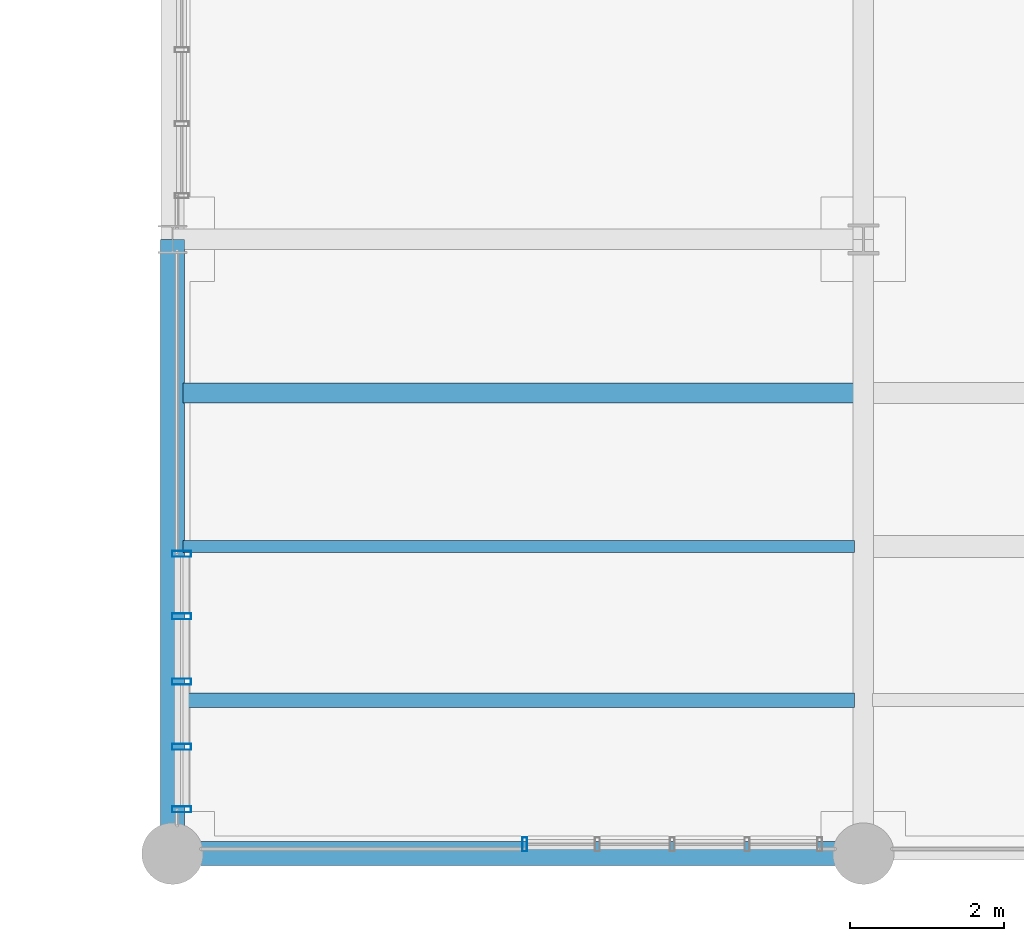
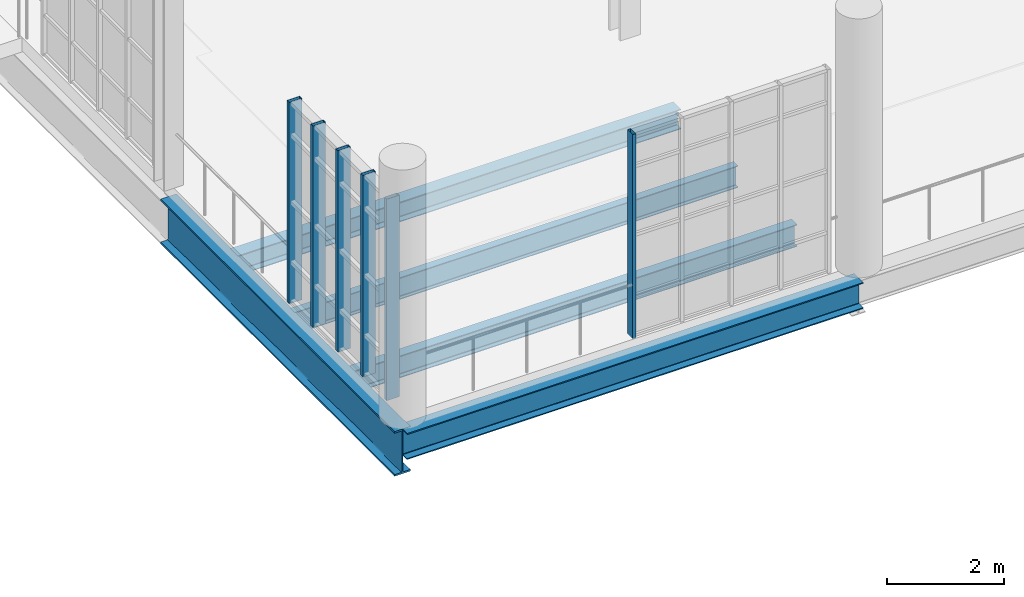
# One storey, part 30 of 142: 6 members, 5 beams, 2 elements without a shape of their own.
"""IFC4 building model written with IfcOpenShell, lengths in metres."""

from ifc_helpers import new_model, si_unit, direction, frame, origin, origin_2d, place, context, subcontext, project, spatial, hollow_rectangle, i_section, extrude, material, layer, layer_set, material_profile, profile_set, type_object, element, aggregate, save


model = new_model("IFC4")

# Units and contexts
model_context = context("Model", 3, precision=1e-05, world=origin(), true_north=direction((0.0, 1.0)))
body_context = subcontext(model_context, "Body", "Model", "MODEL_VIEW")
ifc_project = project(units=[si_unit("LENGTHUNIT", "METRE"), si_unit("AREAUNIT", "SQUARE_METRE"), si_unit("VOLUMEUNIT", "CUBIC_METRE"), si_unit("PLANEANGLEUNIT", "RADIAN"), si_unit("MASSUNIT", "GRAM", prefix="KILO"), si_unit("THERMODYNAMICTEMPERATUREUNIT", "KELVIN"), si_unit("POWERUNIT", "WATT")], contexts=[model_context])

# Site, building, storey
site_placement = place(None, origin())
site = spatial("IfcSite", under=ifc_project, at=site_placement, CompositionType="ELEMENT")
building_placement = place(site_placement, origin())
building = spatial("IfcBuilding", under=site, at=building_placement, Name="Zelmaris Science Centre", CompositionType="ELEMENT")
storey_placement = place(building_placement, frame((0.0, 0.0, 5.39990234375)))
storey = spatial("IfcBuildingStorey", under=building, at=storey_placement, Name="L01", CompositionType="ELEMENT", Elevation=5.39990234375)

# Curtain wall, member
ifc_material_1 = material(Name="Anodised architectural aluminium 6063-T6", Category="aluminium")
ifc_layer_1 = layer(ifc_material_1, 0.2099609375, Name="Anodised architectural aluminium 6063-T6")
ifc_layer_set_1 = layer_set([ifc_layer_1], Name="Anodised architectural aluminium 6063-T6")
curtain_wall_type_1 = type_object("IfcCurtainWallType", Name="Curtain Wall CW-03", PredefinedType="USERDEFINED", material=ifc_layer_set_1)
curtain_wall_1_placement = place(storey_placement, origin())
curtain_wall_1 = element("IfcCurtainWall", 1, at=curtain_wall_1_placement, inside=storey, type_object=curtain_wall_type_1, Name="L01 Unitised curtain wall 167", ObjectType="GLAZED CURTAIN WALL", PredefinedType="USERDEFINED")
ifc_material_profile_1 = material_profile(ifc_material_1, hollow_rectangle(XDim=0.06494140625, YDim=0.179931640625, WallThickness=0.00390625, at=origin_2d()), Name="ALU-MUL-65X180")
ifc_profile_set_1 = profile_set([ifc_material_profile_1], Name="Anodised architectural aluminium 6063-T6")
member_type_1 = type_object("IfcMemberType", Name="ALU-MUL-65X180", PredefinedType="MULLION", material=ifc_profile_set_1)
member_1_placement = place(storey_placement, frame((112.58837890625, 8.1201171875, -0.014892578125), z_axis=(0.0, 0.0, 1.0), x_axis=(-1.0, 0.0, 0.0)))
member_1 = element("IfcMember", 2, at=member_1_placement, type_object=member_type_1, Name="CW-03 mullion 5", PredefinedType="MULLION", context=body_context, shape_type="SweptSolid", body=[
    extrude(hollow_rectangle(XDim=0.06494140625, YDim=0.179931640625, WallThickness=0.00390625, at=origin_2d()), origin(), (0.0, 0.0, 1.0), 4.260986328125),
])
aggregate(curtain_wall_1, [member_1])

# Curtain wall, members
ifc_layer_2 = layer(ifc_material_1, 0.18994140625, Name="Anodised architectural aluminium 6063-T6")
ifc_layer_set_2 = layer_set([ifc_layer_2], Name="Anodised architectural aluminium 6063-T6")
curtain_wall_type_2 = type_object("IfcCurtainWallType", Name="Curtain Wall CW-01", PredefinedType="USERDEFINED", material=ifc_layer_set_2)
curtain_wall_2_placement = place(storey_placement, origin())
curtain_wall_2 = element("IfcCurtainWall", 3, at=curtain_wall_2_placement, inside=storey, type_object=curtain_wall_type_2, Name="L01 Unitised curtain wall 169", ObjectType="GLAZED CURTAIN WALL", PredefinedType="USERDEFINED")
ifc_material_profile_2 = material_profile(ifc_material_1, hollow_rectangle(XDim=0.080078125, YDim=0.25, WallThickness=0.0048828125, at=origin_2d()), Name="ALU-MUL-80X250")
ifc_profile_set_2 = profile_set([ifc_material_profile_2], Name="Anodised architectural aluminium 6063-T6")
member_type_2 = type_object("IfcMemberType", Name="ALU-MUL-80X250", PredefinedType="MULLION", material=ifc_profile_set_2)
member_2_placement = place(storey_placement, frame((108.1201171875, 8.576171875, -0.014892578125), z_axis=(0.0, 0.0, 1.0), x_axis=(-5.235988e-06, 0.999999999986, 0.0)))
member_2 = element("IfcMember", 4, at=member_2_placement, type_object=member_type_2, Name="CW-01 mullion 1", PredefinedType="MULLION", context=body_context, shape_type="SweptSolid", body=[
    extrude(hollow_rectangle(XDim=0.080078125, YDim=0.25, WallThickness=0.0048828125, at=origin_2d()), origin(), (0.0, 0.0, 1.0), 4.200927734375),
])
member_3_placement = place(storey_placement, frame((108.1201171875, 9.39013671875, -0.014892578125), z_axis=(0.0, 0.0, 1.0), x_axis=(-5.235988e-06, 0.999999999986, 0.0)))
member_3 = element("IfcMember", 5, at=member_3_placement, type_object=member_type_2, Name="CW-01 mullion 2", PredefinedType="MULLION", context=body_context, shape_type="SweptSolid", body=[
    extrude(hollow_rectangle(XDim=0.080078125, YDim=0.25, WallThickness=0.0048828125, at=origin_2d()), origin(), (0.0, 0.0, 1.0), 4.200927734375),
])
member_4_placement = place(storey_placement, frame((108.1201171875, 10.239990234375, -0.014892578125), z_axis=(0.0, 0.0, 1.0), x_axis=(-5.235988e-06, 0.999999999986, 0.0)))
member_4 = element("IfcMember", 6, at=member_4_placement, type_object=member_type_2, Name="CW-01 mullion 3", PredefinedType="MULLION", context=body_context, shape_type="SweptSolid", body=[
    extrude(hollow_rectangle(XDim=0.080078125, YDim=0.25, WallThickness=0.0048828125, at=origin_2d()), origin(), (0.0, 0.0, 1.0), 4.200927734375),
])
member_5_placement = place(storey_placement, frame((108.1201171875, 11.090087890625, -0.014892578125), z_axis=(0.0, 0.0, 1.0), x_axis=(-5.235988e-06, 0.999999999986, 0.0)))
member_5 = element("IfcMember", 7, at=member_5_placement, type_object=member_type_2, Name="CW-01 mullion 4", PredefinedType="MULLION", context=body_context, shape_type="SweptSolid", body=[
    extrude(hollow_rectangle(XDim=0.080078125, YDim=0.25, WallThickness=0.0048828125, at=origin_2d()), origin(), (0.0, 0.0, 1.0), 4.200927734375),
])
member_6_placement = place(storey_placement, frame((108.1201171875, 11.904052734375, -0.014892578125), z_axis=(0.0, 0.0, 1.0), x_axis=(-5.235988e-06, 0.999999999986, 0.0)))
member_6 = element("IfcMember", 8, at=member_6_placement, type_object=member_type_2, Name="CW-01 mullion 5", PredefinedType="MULLION", context=body_context, shape_type="SweptSolid", body=[
    extrude(hollow_rectangle(XDim=0.080078125, YDim=0.25, WallThickness=0.0048828125, at=origin_2d()), origin(), (0.0, 0.0, 1.0), 4.200927734375),
])
aggregate(curtain_wall_2, [member_2, member_3, member_4, member_5, member_6])

# Beams
ifc_material_2 = material(Name="Steel ASTM A992 Grade 50", Category="steel")
ifc_material_profile_3 = material_profile(ifc_material_2, i_section(OverallWidth=0.31005859375, OverallDepth=0.931884765625, WebThickness=0.02099609375, FlangeThickness=0.034423828125, FilletRadius=0.02392578125, at=origin_2d()), Name="W36X210")
ifc_profile_set_3 = profile_set([ifc_material_profile_3], Name="Steel ASTM A992 Grade 50")
beam_type_1 = type_object("IfcBeamType", Name="Beam G-25 W36X210", PredefinedType="BEAM", material=ifc_profile_set_3)
beam_1_placement = place(storey_placement, frame((108.0, 8.0, -0.745849609375), z_axis=(0.0, 1.0, 0.0), x_axis=(-1.0, 0.0, 0.0)))
element("IfcBeam", 9, at=beam_1_placement, inside=storey, type_object=beam_type_1, Name="L01 North-south girder 293", PredefinedType="BEAM", context=body_context, shape_type="SweptSolid", body=[
    extrude(i_section(OverallWidth=0.31005859375, OverallDepth=0.931884765625, WebThickness=0.02099609375, FlangeThickness=0.034423828125, FilletRadius=0.02392578125, at=origin_2d()), origin(), (0.0, 0.0, 1.0), 8.0),
])
ifc_material_profile_4 = material_profile(ifc_material_2, i_section(OverallWidth=0.31201171875, OverallDepth=0.5458984375, WebThickness=0.013916015625, FlangeThickness=0.022216796875, FilletRadius=0.013916015625, at=origin_2d()), Name="W21X111")
ifc_profile_set_4 = profile_set([ifc_material_profile_4], Name="Steel ASTM A992 Grade 50")
beam_type_2 = type_object("IfcBeamType", Name="Beam G-39 W21X111", PredefinedType="BEAM", material=ifc_profile_set_4)
beam_2_placement = place(storey_placement, frame((108.0, 8.0, -0.552978515625), z_axis=(1.0, 0.0, 0.0), x_axis=(0.0, 1.0, 0.0)))
element("IfcBeam", 10, at=beam_2_placement, inside=storey, type_object=beam_type_2, Name="L01 East-west girder 338", PredefinedType="BEAM", context=body_context, shape_type="SweptSolid", body=[
    extrude(i_section(OverallWidth=0.31201171875, OverallDepth=0.5458984375, WebThickness=0.013916015625, FlangeThickness=0.022216796875, FilletRadius=0.013916015625, at=origin_2d()), origin(), (0.0, 0.0, 1.0), 9.0),
])
ifc_material_profile_5 = material_profile(ifc_material_2, i_section(OverallWidth=0.19091796875, OverallDepth=0.4599609375, WebThickness=0.010009765625, FlangeThickness=0.01611328125, FilletRadius=0.012939453125, at=origin_2d()), Name="W18X55")
ifc_profile_set_5 = profile_set([ifc_material_profile_5], Name="Steel ASTM A992 Grade 50")
beam_type_3 = type_object("IfcBeamType", Name="Beam J-04 W18X55", PredefinedType="JOIST", material=ifc_profile_set_5)
beam_3_placement = place(storey_placement, frame((108.139892578125, 10.0, -0.510009765625), z_axis=(1.0, 0.0, 0.0), x_axis=(0.0, 1.0, 0.0)))
element("IfcBeam", 11, at=beam_3_placement, inside=storey, type_object=beam_type_3, Name="L01 Composite floor joist 165", PredefinedType="JOIST", context=body_context, shape_type="SweptSolid", body=[
    extrude(i_section(OverallWidth=0.19091796875, OverallDepth=0.4599609375, WebThickness=0.010009765625, FlangeThickness=0.01611328125, FilletRadius=0.012939453125, at=origin_2d()), origin(), (0.0, 0.0, 1.0), 8.74169921875),
])
ifc_material_profile_6 = material_profile(ifc_material_2, i_section(OverallWidth=0.152099609375, OverallDepth=0.455078125, WebThickness=0.008056640625, FlangeThickness=0.01318359375, FilletRadius=0.012939453125, at=origin_2d()), Name="W18X40")
ifc_profile_set_6 = profile_set([ifc_material_profile_6], Name="Steel ASTM A992 Grade 50")
beam_type_4 = type_object("IfcBeamType", Name="Beam J-05 W18X40", PredefinedType="JOIST", material=ifc_profile_set_6)
beam_4_placement = place(storey_placement, frame((108.139892578125, 12.0, -0.50732421875), z_axis=(1.0, 0.0, 0.0), x_axis=(0.0, 1.0, 0.0)))
element("IfcBeam", 12, at=beam_4_placement, inside=storey, type_object=beam_type_4, Name="L01 Composite floor joist 166", PredefinedType="JOIST", context=body_context, shape_type="SweptSolid", body=[
    extrude(i_section(OverallWidth=0.152099609375, OverallDepth=0.455078125, WebThickness=0.008056640625, FlangeThickness=0.01318359375, FilletRadius=0.012939453125, at=origin_2d()), origin(), (0.0, 0.0, 1.0), 8.74169921875),
])
ifc_material_profile_7 = material_profile(ifc_material_2, i_section(OverallWidth=0.260009765625, OverallDepth=0.4140625, WebThickness=0.010009765625, FlangeThickness=0.016845703125, FilletRadius=0.011962890625, at=origin_2d()), Name="W16X67")
ifc_profile_set_7 = profile_set([ifc_material_profile_7], Name="Steel ASTM A992 Grade 50")
beam_type_5 = type_object("IfcBeamType", Name="Beam J-06 W16X67", PredefinedType="JOIST", material=ifc_profile_set_7)
beam_5_placement = place(storey_placement, frame((108.139892578125, 14.0, -0.48681640625), z_axis=(1.0, 0.0, 0.0), x_axis=(0.0, 1.0, 0.0)))
element("IfcBeam", 13, at=beam_5_placement, inside=storey, type_object=beam_type_5, Name="L01 Composite floor joist 167", PredefinedType="JOIST", context=body_context, shape_type="SweptSolid", body=[
    extrude(i_section(OverallWidth=0.260009765625, OverallDepth=0.4140625, WebThickness=0.010009765625, FlangeThickness=0.016845703125, FilletRadius=0.011962890625, at=origin_2d()), origin(), (0.0, 0.0, 1.0), 8.74169921875),
])

save(model, "model.ifc")
